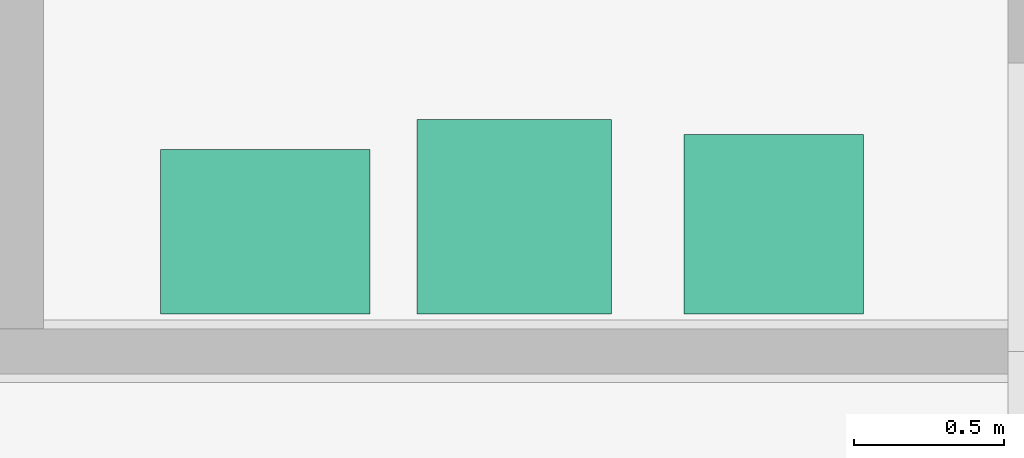
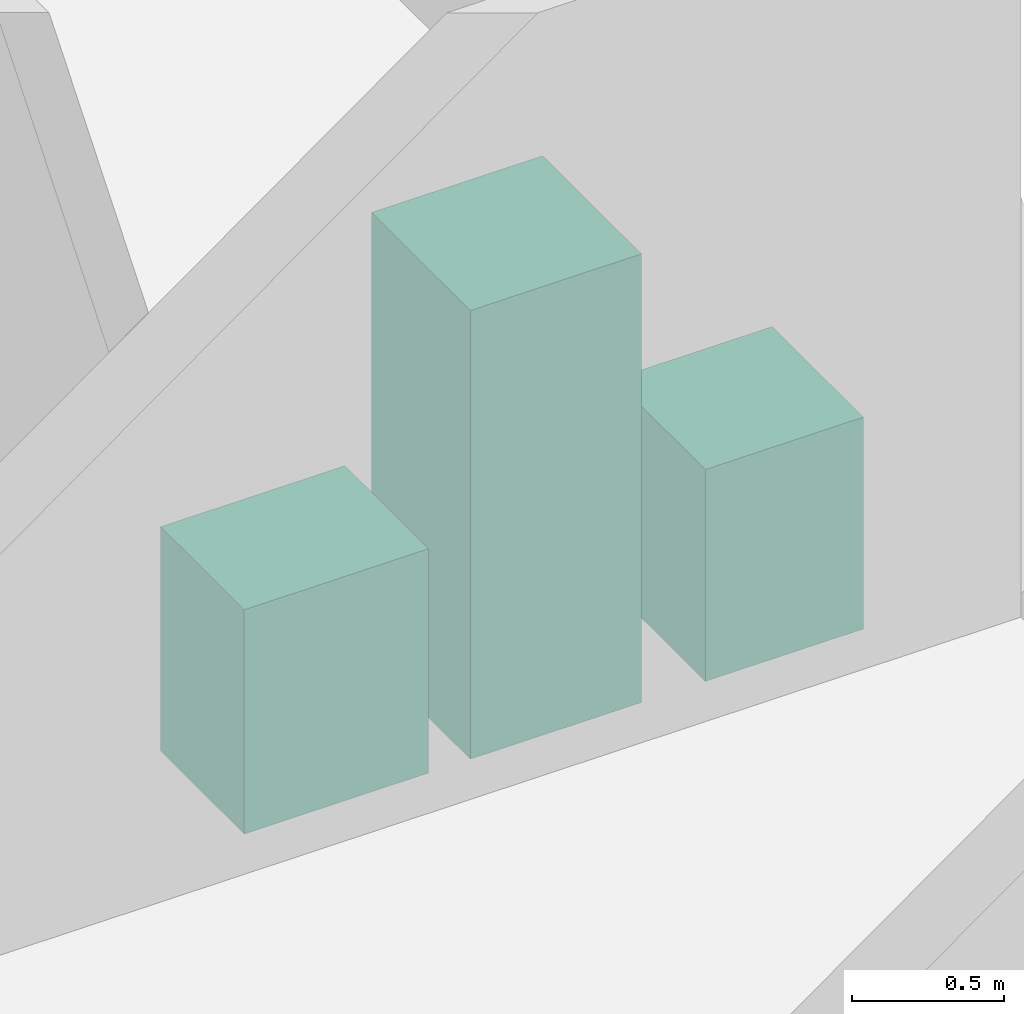
# One storey, part 19 of 19: 2 electric appliances, 1 sanitary terminal.
"""IFC4 building model written with IfcOpenShell, lengths in metres."""

from ifc_helpers import new_model, si_unit, direction, frame, origin, origin_2d, place, context, subcontext, project, spatial, rectangle, extrude, material, type_object, element, save


model = new_model("IFC4")

# Units and contexts
model_context = context("Model", 3, precision=1e-05, world=origin(), true_north=direction((0.0, 1.0)))
body_context = subcontext(model_context, "Body", "Model", "MODEL_VIEW")
ifc_project = project(units=[si_unit("LENGTHUNIT", "METRE"), si_unit("AREAUNIT", "SQUARE_METRE"), si_unit("VOLUMEUNIT", "CUBIC_METRE"), si_unit("PLANEANGLEUNIT", "RADIAN"), si_unit("MASSUNIT", "GRAM", prefix="KILO")], contexts=[model_context])

# Site, building, storey
site_placement = place(None, origin())
site = spatial("IfcSite", under=ifc_project, at=site_placement, CompositionType="ELEMENT")
building_placement = place(site_placement, origin())
building = spatial("IfcBuilding", under=site, at=building_placement, Name="Tessera Gate Towers", CompositionType="ELEMENT")
storey_placement = place(building_placement, frame((0.0, 0.0, 83.800048828125)))
storey = spatial("IfcBuildingStorey", under=building, at=storey_placement, Name="L20", CompositionType="ELEMENT", Elevation=83.800048828125)

# Electric appliances
ifc_material_1 = material(Name="Enamelled steel", Category="steel")
electric_appliance_type_1 = type_object("IfcElectricApplianceType", Name="DISHWASHER 600x600", PredefinedType="DISHWASHER", material=ifc_material_1)
electric_appliance_1_placement = place(storey_placement, frame((132.9169921875, 37.02490234375, 0.0), z_axis=(0.0, 0.0, 1.0), x_axis=(1.0, 0.0, 0.0)))
element("IfcElectricAppliance", 1, at=electric_appliance_1_placement, inside=storey, type_object=electric_appliance_type_1, Name="Dishwasher", PredefinedType="DISHWASHER", context=body_context, shape_type="SweptSolid", body=[
    extrude(rectangle(XDim=0.60009765625, YDim=0.60009765625, at=origin_2d()), origin(), (0.0, 0.0, 1.0), 0.85009765625),
])
ifc_material_2 = material(Name="Enamelled steel", Category="steel")
electric_appliance_type_2 = type_object("IfcElectricApplianceType", Name="REFRIGERATOR 650x650", PredefinedType="FRIDGE_FREEZER", material=ifc_material_2)
electric_appliance_2_placement = place(storey_placement, frame((132.050048828125, 37.050048828125, 0.0), z_axis=(0.0, 0.0, 1.0), x_axis=(1.0, 0.0, 0.0)))
element("IfcElectricAppliance", 2, at=electric_appliance_2_placement, inside=storey, type_object=electric_appliance_type_2, Name="Refrigerator", PredefinedType="FRIDGE_FREEZER", context=body_context, shape_type="SweptSolid", body=[
    extrude(rectangle(XDim=0.64990234375, YDim=0.64990234375, at=origin_2d()), origin(), (0.0, 0.0, 1.0), 1.800048828125),
])

# Sanitary terminal
ifc_material_3 = material(Name="Vitreous china")
sanitary_terminal_type = type_object("IfcSanitaryTerminalType", Name="SINK 700x550", PredefinedType="SINK", material=ifc_material_3)
sanitary_terminal_placement = place(storey_placement, frame((131.217041015625, 37.0, 0.0), z_axis=(0.0, 0.0, 1.0), x_axis=(1.0, 0.0, 0.0)))
element("IfcSanitaryTerminal", 3, at=sanitary_terminal_placement, inside=storey, type_object=sanitary_terminal_type, Name="Sink", PredefinedType="SINK", context=body_context, shape_type="SweptSolid", body=[
    extrude(rectangle(XDim=0.699951171875, YDim=0.550048828125, at=origin_2d()), origin(), (0.0, 0.0, 1.0), 0.89990234375),
])

save(model, "model.ifc")
